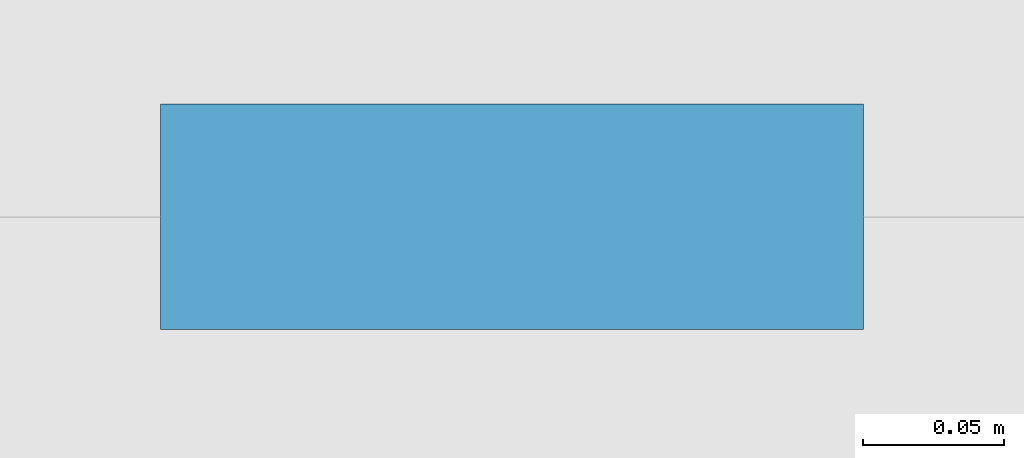
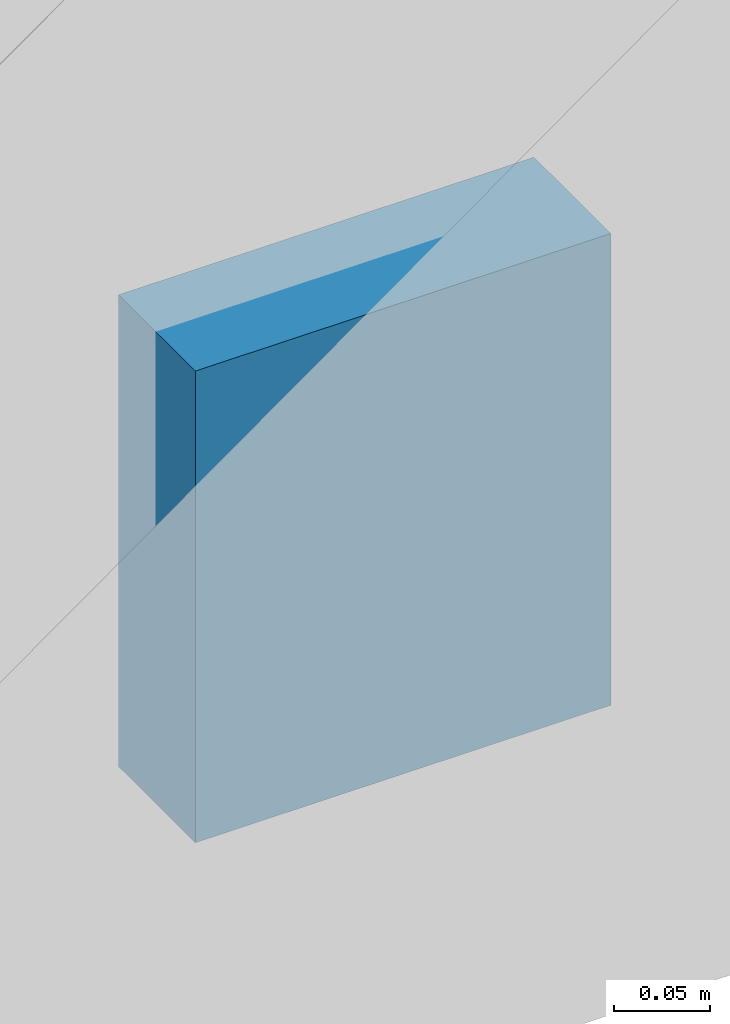
# One storey, part 70 of 177: 1 discrete accessory.
"""IFC4 building model written with IfcOpenShell, lengths in metres."""

import ifcopenshell
import ifcopenshell.guid

model = None  # the IFC model being written
_history = None  # IfcOwnerHistory: only IFC2X3 demands one
_inside = {}  # id of a spatial element -> (the spatial element, [elements in it])
_under = {}  # id of a project, library or spatial element -> (it, [spatial elements below it])
_declared = {}  # id of a project -> (the project, [libraries it declares])
_typed = {}  # id of a type object -> (the type object, [elements of that type])
_made_of = {}  # id of a material, layer set ... -> (it, [elements and type objects made of it])


def new_model(schema):
    """Start an empty IFC model of exactly this schema.

    Asked for "IFC4X3", IfcOpenShell would pick the latest addendum, in which some entities
    have other attributes; the version numbers below select the first issue.
    IFC2X3 requires an IfcOwnerHistory on every rooted entity: one is made here for all.
    """
    global model, _history
    if schema == "IFC4X3":
        model = ifcopenshell.file(schema_version=(4, 3, 0, 0))
    else:
        model = ifcopenshell.file(schema=schema)
    _inside.clear()
    _under.clear()
    _declared.clear()
    _typed.clear()
    _made_of.clear()
    _history = None
    if model.schema == "IFC2X3":
        org = make("IfcOrganization", Name="unknown")
        user = make(
            "IfcPersonAndOrganization",
            ThePerson=make("IfcPerson", FamilyName="unknown"),
            TheOrganization=org,
        )
        app = make(
            "IfcApplication",
            ApplicationDeveloper=org,
            Version="unknown",
            ApplicationFullName="unknown",
            ApplicationIdentifier="unknown",
        )
        _history = make(
            "IfcOwnerHistory",
            OwningUser=user,
            OwningApplication=app,
            ChangeAction="ADDED",
            CreationDate=0,
        )
    return model


def make(cls, **values):
    """One entity of the class cls with the attributes given. An attribute that is None is left unset."""
    return model.create_entity(
        cls, **{name: value for name, value in values.items() if value is not None}
    )


def rooted(cls, **values):
    """An entity with a GlobalId (a new one), such as an element, a storey or a relation."""
    return make(cls, GlobalId=ifcopenshell.guid.new(), OwnerHistory=_history, **values)


def si_unit(unit_type, name, prefix=None):
    """IfcSIUnit, for example si_unit("LENGTHUNIT", "METRE", prefix="MILLI")."""
    return make("IfcSIUnit", UnitType=unit_type, Prefix=prefix, Name=name)


def assignment(units):
    """IfcUnitAssignment: the units of a project."""
    return None if units is None else make("IfcUnitAssignment", Units=units)


def point(xyz):
    """IfcCartesianPoint."""
    return None if xyz is None else make("IfcCartesianPoint", Coordinates=xyz)


def direction(xyz):
    """IfcDirection."""
    return None if xyz is None else make("IfcDirection", DirectionRatios=xyz)


def frame(location, z_axis=None, x_axis=None):
    """IfcAxis2Placement3D, a coordinate frame: its origin and axes. An axis left out is left unset."""
    return make(
        "IfcAxis2Placement3D",
        Location=point(location),
        Axis=direction(z_axis),
        RefDirection=direction(x_axis),
    )


def frame_2d(location, x_axis=None):
    """IfcAxis2Placement2D, a coordinate frame in the plane: its origin and x axis."""
    return make(
        "IfcAxis2Placement2D", Location=point(location), RefDirection=direction(x_axis)
    )


def origin():
    """The frame at (0, 0, 0) with its axes left unset."""
    return frame((0.0, 0.0, 0.0))


def origin_2d():
    """The frame at (0, 0) in the plane with its x axis left unset."""
    return frame_2d((0.0, 0.0))


def place(relative_to, where):
    """IfcLocalPlacement: puts the frame where relative to a parent placement (None: the world)."""
    return make(
        "IfcLocalPlacement", PlacementRelTo=relative_to, RelativePlacement=where
    )


def context(
    kind, dimensions, precision=None, world=None, true_north=None, identifier=None
):
    """IfcGeometricRepresentationContext, for example the 3D "Model" context."""
    return make(
        "IfcGeometricRepresentationContext",
        ContextIdentifier=identifier,
        ContextType=kind,
        CoordinateSpaceDimension=dimensions,
        Precision=precision,
        WorldCoordinateSystem=world,
        TrueNorth=true_north,
    )


def subcontext(parent, identifier, kind, view, scale=None):
    """IfcGeometricRepresentationSubContext, for example "Body" below "Model"."""
    return make(
        "IfcGeometricRepresentationSubContext",
        ContextIdentifier=identifier,
        ContextType=kind,
        ParentContext=parent,
        TargetScale=scale,
        TargetView=view,
    )


def project(units=None, contexts=None):
    """IfcProject with its units and contexts."""
    return rooted(
        "IfcProject",
        Name="project",
        RepresentationContexts=contexts,
        UnitsInContext=assignment(units),
    )


def spatial(cls, under=None, at=None, **own):
    """A site, building, storey or space (cls), placed at a placement, below another one or the project."""
    s = rooted(cls, ObjectPlacement=at, **own)
    if under is not None:
        _under.setdefault(under.id(), (under, []))[1].append(s)
    return s


def profile(cls, at=None, kind="AREA", **sizes):
    """A parametric profile (cls). Its sizes go by their IFC names, for example OverallWidth=200.0."""
    return make(cls, ProfileType=kind, Position=at, **sizes)


def rectangle(**sizes):
    """IfcRectangleProfileDef."""
    return profile("IfcRectangleProfileDef", **sizes)


def extrude(swept, where, along, depth):
    """IfcExtrudedAreaSolid: the profile swept, set in the frame where, extruded along a direction by depth."""
    return make(
        "IfcExtrudedAreaSolid",
        SweptArea=swept,
        Position=where,
        ExtrudedDirection=direction(along),
        Depth=depth,
    )


def shape(context_of_items, identifier, shape_type, items):
    """IfcShapeRepresentation: the items that make up one representation, for example the "Body"."""
    return make(
        "IfcShapeRepresentation",
        ContextOfItems=context_of_items,
        RepresentationIdentifier=identifier,
        RepresentationType=shape_type,
        Items=items,
    )


def material(Name=None, Category=None):
    """IfcMaterial."""
    return make("IfcMaterial", Name=Name, Category=Category)


def layer(
    of_material, thickness, ventilated=None, Name=None, Category=None, Priority=None
):
    """IfcMaterialLayer: one layer of a wall or slab, of a material (None: an air gap)."""
    return make(
        "IfcMaterialLayer",
        Material=of_material,
        LayerThickness=thickness,
        IsVentilated=ventilated,
        Name=Name,
        Category=Category,
        Priority=Priority,
    )


def layer_set(layers, Name=None):
    """IfcMaterialLayerSet."""
    return make("IfcMaterialLayerSet", MaterialLayers=layers, LayerSetName=Name)


def made_of(thing, what):
    """Note that an element or type object is made of a material, layer set ...; save() writes the relation."""
    if what is not None:
        _made_of.setdefault(what.id(), (what, []))[1].append(thing)
    return thing


def type_object(cls, material=None, **own):
    """A type object (cls), such as IfcWallType, which elements share."""
    return made_of(rooted(cls, **own), material)


def element(
    cls,
    number,
    at=None,
    inside=None,
    cuts=None,
    type_object=None,
    material=None,
    context=None,
    identifier="Body",
    shape_type=None,
    held_by="IfcProductDefinitionShape",
    body=None,
    shapes=None,
    **own,
):
    """One element of the class cls, such as IfcWall. Its Tag is "e" and its number.

    at: its placement. inside: the storey or other place that contains it. cuts: it is an
    opening in that element (IfcRelVoidsElement). A single representation is given by context,
    identifier, shape_type and body (its items); several are given by shapes. held_by: the class
    of the entity that holds the representations. save() writes the other relations.
    """
    e = rooted(cls, Tag="e%d" % number, ObjectPlacement=at, **own)
    if body is not None:
        shapes = [shape(context, identifier, shape_type, body)]
    if shapes is not None:
        e.Representation = make(held_by, Representations=shapes)
    if inside is not None:
        _inside.setdefault(inside.id(), (inside, []))[1].append(e)
    if cuts is not None:
        rooted(
            "IfcRelVoidsElement", RelatingBuildingElement=cuts, RelatedOpeningElement=e
        )
    if type_object is not None:
        _typed.setdefault(type_object.id(), (type_object, []))[1].append(e)
    return made_of(e, material)


def aggregate(whole, parts):
    """IfcRelAggregates: a whole, such as a stair, and the parts it consists of."""
    return rooted("IfcRelAggregates", RelatingObject=whole, RelatedObjects=parts)


def save(model, path):
    """Write the relations noted so far, then the file.

    IfcRelAggregates (storeys below a building ...), IfcRelContainedInSpatialStructure (elements
    in a storey), IfcRelDefinesByType, IfcRelAssociatesMaterial and IfcRelDeclares: one each for
    every whole, place, type object, material and project.
    """
    for whole, parts in _under.values():
        aggregate(whole, parts)
    for where, things in _inside.values():
        rooted(
            "IfcRelContainedInSpatialStructure",
            RelatedElements=things,
            RelatingStructure=where,
        )
    for kind, things in _typed.values():
        rooted("IfcRelDefinesByType", RelatedObjects=things, RelatingType=kind)
    for what, things in _made_of.values():
        rooted("IfcRelAssociatesMaterial", RelatedObjects=things, RelatingMaterial=what)
    for by, libraries in _declared.values():
        rooted("IfcRelDeclares", RelatingContext=by, RelatedDefinitions=libraries)
    model.write(path)


model = new_model("IFC4")

# Units and contexts
model_context = context("Model", 3, precision=1e-05, world=origin(), true_north=direction((0.0, 1.0)))
body_context = subcontext(model_context, "Body", "Model", "MODEL_VIEW")
ifc_project = project(units=[si_unit("LENGTHUNIT", "METRE"), si_unit("AREAUNIT", "SQUARE_METRE"), si_unit("VOLUMEUNIT", "CUBIC_METRE"), si_unit("PLANEANGLEUNIT", "RADIAN"), si_unit("MASSUNIT", "GRAM", prefix="KILO")], contexts=[model_context])

# Site, building, storey
site_placement = place(None, origin())
site = spatial("IfcSite", under=ifc_project, at=site_placement, CompositionType="ELEMENT")
building_placement = place(site_placement, origin())
building = spatial("IfcBuilding", under=site, at=building_placement, Name="Ogive Plaza Stadium", CompositionType="ELEMENT")
storey_placement = place(building_placement, frame((0.0, 0.0, 18.0)))
storey = spatial("IfcBuildingStorey", under=building, at=storey_placement, Name="L04", CompositionType="ELEMENT", Elevation=18.0)

# Discrete accessory
ifc_material = material(Name="Steel ASTM A572 Grade 50", Category="steel")
ifc_layer = layer(ifc_material, 0.080078125)
ifc_layer_set = layer_set([ifc_layer], Name="Steel ASTM A572 Grade 50")
discrete_accessory_type = type_object("IfcDiscreteAccessoryType", Name="Spandrel cladding bracket 250x300", PredefinedType="BRACKET", material=ifc_layer_set)
discrete_accessory_placement = place(storey_placement, frame((-27.199951171875, -102.85009765625, -1.31005859375), z_axis=(0.0, 0.0, 1.0), x_axis=(-1.0, 0.0, 0.0)))
element("IfcDiscreteAccessory", 1, at=discrete_accessory_placement, inside=storey, type_object=discrete_accessory_type, Name="SPANDREL BRACKET B16 L04", PredefinedType="BRACKET", context=body_context, shape_type="SweptSolid", body=[
    extrude(rectangle(XDim=0.25, YDim=0.080078125, at=origin_2d()), origin(), (0.0, 0.0, 1.0), 0.300048828125),
])

save(model, "model.ifc")
